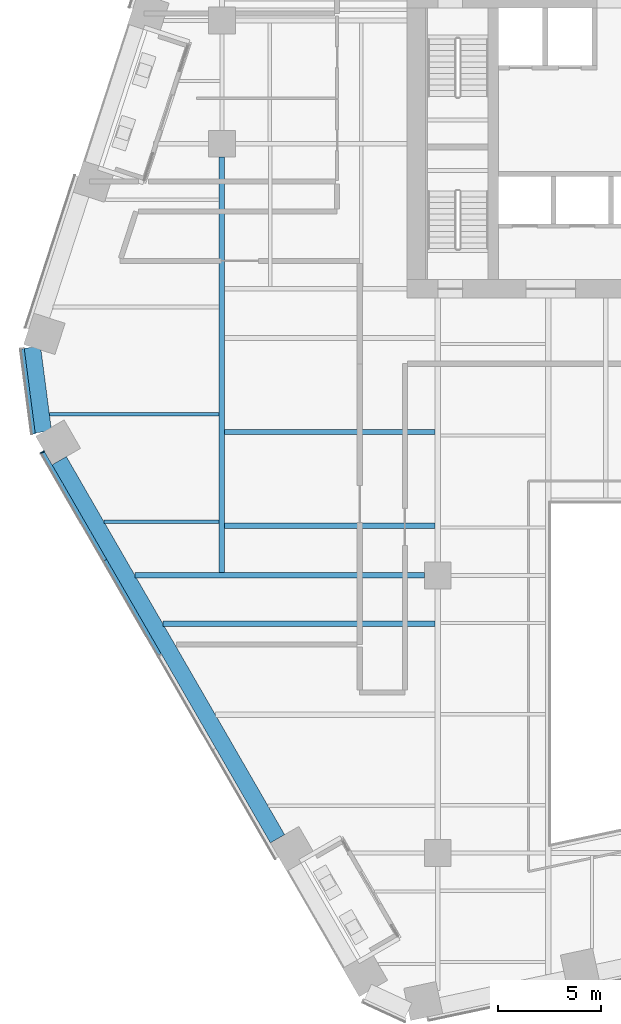
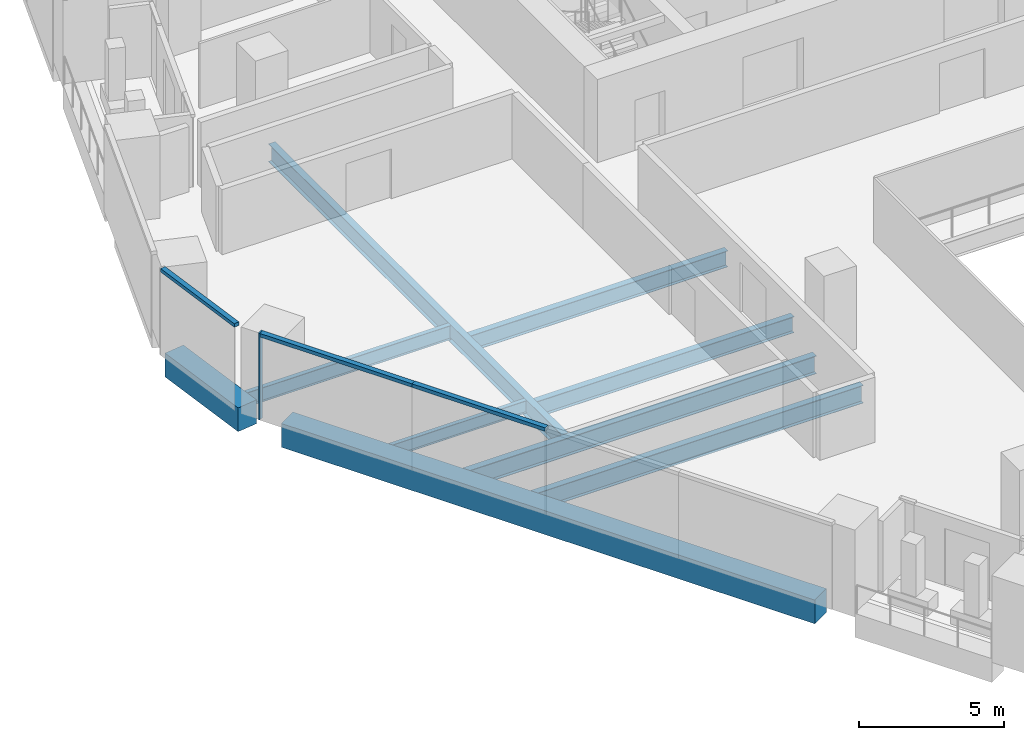
# One storey, part 4 of 28: 9 beams, 4 members, 2 elements without a shape of their own.
"""IFC4 building model written with IfcOpenShell, lengths in metres."""

from ifc_helpers import new_model, si_unit, direction, frame, origin, origin_2d, place, context, subcontext, project, spatial, rectangle, i_section, extrude, material, layer, layer_set, material_profile, profile_set, type_object, element, aggregate, save


model = new_model("IFC4")

# Units and contexts
model_context = context("Model", 3, precision=1e-05, world=origin(), true_north=direction((0.0, 1.0)))
body_context = subcontext(model_context, "Body", "Model", "MODEL_VIEW")
ifc_project = project(units=[si_unit("LENGTHUNIT", "METRE"), si_unit("AREAUNIT", "SQUARE_METRE"), si_unit("VOLUMEUNIT", "CUBIC_METRE"), si_unit("PLANEANGLEUNIT", "RADIAN"), si_unit("MASSUNIT", "GRAM", prefix="KILO")], contexts=[model_context])

# Site, building, storey
site_placement = place(None, origin())
site = spatial("IfcSite", under=ifc_project, at=site_placement, CompositionType="ELEMENT")
building_placement = place(site_placement, origin())
building = spatial("IfcBuilding", under=site, at=building_placement, Name="Isthmus Gate Tower", CompositionType="ELEMENT")
storey_placement = place(building_placement, frame((0.0, 0.0, 84.300048828125)))
storey = spatial("IfcBuildingStorey", under=building, at=storey_placement, Name="L19", CompositionType="ELEMENT", Elevation=84.300048828125)

# Curtain wall, member
ifc_material_1 = material(Name="Aluminium, pale champagne anodised", Category="aluminium")
ifc_layer = layer(ifc_material_1, 0.199951171875)
ifc_layer_set = layer_set([ifc_layer], Name="CW-1 UNITISED CURTAIN WALL 200 DEEP")
curtain_wall_type = type_object("IfcCurtainWallType", Name="CW-1 UNITISED CURTAIN WALL 200 DEEP", PredefinedType="NOTDEFINED", material=ifc_layer_set)
curtain_wall_1_placement = place(storey_placement, origin())
curtain_wall_1 = element("IfcCurtainWall", 1, at=curtain_wall_1_placement, inside=storey, type_object=curtain_wall_type, Name="CW-1 SW L19", PredefinedType="NOTDEFINED")
ifc_material_2 = material(Name="Aluminium, pale champagne anodised", Category="aluminium")
ifc_material_profile_1 = material_profile(ifc_material_2, rectangle(XDim=0.06005859375, YDim=0.199951171875, at=origin_2d()), Name="60x200")
ifc_profile_set_1 = profile_set([ifc_material_profile_1], Name="Aluminium, pale champagne anodised")
member_type_1 = type_object("IfcMemberType", Name="CW-1 MULLION 60 X 200", PredefinedType="MULLION", material=ifc_profile_set_1)
member_1_placement = place(storey_placement, frame((-32.7353515625, -7.500732421875, 0.0), z_axis=(0.0, 0.0, 1.0), x_axis=(0.5, -0.866025403784, 0.0)))
member_1 = element("IfcMember", 2, at=member_1_placement, type_object=member_type_1, Name="CW-1 mullion", PredefinedType="MULLION", context=body_context, shape_type="SweptSolid", body=[
    extrude(rectangle(XDim=0.06005859375, YDim=0.199951171875, at=origin_2d()), origin(), (0.0, 0.0, 1.0), 3.64990234375),
])

curtain_wall_2_placement = place(storey_placement, origin())
curtain_wall_2 = element("IfcCurtainWall", 3, at=curtain_wall_2_placement, inside=storey, type_object=curtain_wall_type, Name="CW-1 NW-SW L19", PredefinedType="NOTDEFINED")
ifc_material_3 = material(Name="Aluminium, pale champagne anodised", Category="aluminium")
ifc_material_profile_2 = material_profile(ifc_material_3, rectangle(XDim=0.199951171875, YDim=0.14990234375, at=origin_2d()), Name="200x150")
ifc_profile_set_2 = profile_set([ifc_material_profile_2], Name="Aluminium, pale champagne anodised")
member_type_2 = type_object("IfcMemberType", Name="CW-1 TRANSOM 200 X 150", PredefinedType="USERDEFINED", material=ifc_profile_set_2)
member_2_placement = place(storey_placement, frame((-33.71923828125, -2.474609375, 3.574951171875), z_axis=(0.129206893318, -0.991617657527, 0.0), x_axis=(0.991617657527, 0.129206893318, 0.0)))
member_2 = element("IfcMember", 4, at=member_2_placement, type_object=member_type_2, Name="CW-1 transom", ObjectType="TRANSOM", PredefinedType="USERDEFINED", context=body_context, shape_type="SweptSolid", body=[
    extrude(rectangle(XDim=0.199951171875, YDim=0.14990234375, at=origin_2d()), origin(), (0.0, 0.0, 1.0), 4.181640625),
])
aggregate(curtain_wall_2, [member_2])

# Member
member_3_placement = place(storey_placement, frame((-32.720458984375, -7.526611328125, 3.574951171875), z_axis=(0.500011280007, -0.866018891171, 0.0), x_axis=(0.866018891171, 0.500011280007, 0.0)))
member_3 = element("IfcMember", 5, at=member_3_placement, type_object=member_type_2, Name="CW-1 transom", ObjectType="TRANSOM", PredefinedType="USERDEFINED", context=body_context, shape_type="SweptSolid", body=[
    extrude(rectangle(XDim=0.199951171875, YDim=0.14990234375, at=origin_2d()), origin(), (0.0, 0.0, 1.0), 6.048583984375),
])

member_4_placement = place(storey_placement, frame((-29.696044921875, -12.764892578125, 3.574951171875), z_axis=(0.499997139945, -0.866027055032, 0.0), x_axis=(0.866027055032, 0.499997139945, 0.0)))
member_4 = element("IfcMember", 6, at=member_4_placement, type_object=member_type_2, Name="CW-1 transom", ObjectType="TRANSOM", PredefinedType="USERDEFINED", context=body_context, shape_type="SweptSolid", body=[
    extrude(rectangle(XDim=0.199951171875, YDim=0.14990234375, at=origin_2d()), origin(), (0.0, 0.0, 1.0), 5.30859375),
])

aggregate(curtain_wall_1, [member_1, member_3, member_4])

# Beams
ifc_material_4 = material(Name="Concrete f'c 70 MPa", Category="concrete")
ifc_material_profile_3 = material_profile(ifc_material_4, rectangle(XDim=0.800048828125, YDim=1.0, at=origin_2d()), Name="RC 800X1000")
ifc_profile_set_3 = profile_set([ifc_material_profile_3], Name="Concrete f'c 70 MPa")
beam_type_1 = type_object("IfcBeamType", Name="RC SPANDREL 800 X 1000", PredefinedType="SPANDREL", material=ifc_profile_set_3)
beam_1_placement = place(storey_placement, frame((-21.300048828125, -26.30712890625, -0.5), z_axis=(-0.499997139945, 0.866027055032, 0.0), x_axis=(-0.866027055032, -0.499997139945, 0.0)))
element("IfcBeam", 7, at=beam_1_placement, inside=storey, type_object=beam_type_1, Name="str-spandrel-L19-16", PredefinedType="SPANDREL", context=body_context, shape_type="SweptSolid", body=[
    extrude(rectangle(XDim=0.800048828125, YDim=1.0, at=origin_2d()), origin(), (0.0, 0.0, 1.0), 21.234375),
])
beam_2_placement = place(storey_placement, frame((-32.6884765625, -6.515380859375, -0.5), z_axis=(-0.129170777359, 0.991622362735, 0.0), x_axis=(-0.991622362735, -0.129170777359, 0.0)))
element("IfcBeam", 8, at=beam_2_placement, inside=storey, type_object=beam_type_1, Name="str-spandrel-L19-17", PredefinedType="SPANDREL", context=body_context, shape_type="SweptSolid", body=[
    extrude(rectangle(XDim=0.800048828125, YDim=1.0, at=origin_2d()), origin(), (0.0, 0.0, 1.0), 4.15234375),
])
ifc_material_5 = material(Name="Structural steel ASTM A992 Gr 50", Category="steel")
ifc_material_profile_4 = material_profile(ifc_material_5, i_section(OverallWidth=0.1650390625, OverallDepth=0.52392578125, WebThickness=0.009521484375, FlangeThickness=0.010986328125, at=origin_2d()), Name="W21X44")
ifc_profile_set_4 = profile_set([ifc_material_profile_4], Name="Structural steel ASTM A992 Gr 50")
beam_type_2 = type_object("IfcBeamType", Name="STEEL FLOOR BEAM W21X44", PredefinedType="JOIST", material=ifc_profile_set_4)
beam_3_placement = place(storey_placement, frame((-29.740478515625, -10.88818359375, -0.412109375), z_axis=(1.0, 0.0, 0.0), x_axis=(0.0, 1.0, 0.0)))
element("IfcBeam", 9, at=beam_3_placement, inside=storey, type_object=beam_type_2, Name="str-beam-L19-01-00", PredefinedType="JOIST", context=body_context, shape_type="SweptSolid", body=[
    extrude(i_section(OverallWidth=0.1650390625, OverallDepth=0.52392578125, WebThickness=0.009521484375, FlangeThickness=0.010986328125, at=origin_2d()), origin(), (0.0, 0.0, 1.0), 5.607177734375),
])
ifc_material_6 = material(Name="Structural steel ASTM A992 Gr 50", Category="steel")
ifc_material_profile_5 = material_profile(ifc_material_6, i_section(OverallWidth=0.177734375, OverallDepth=0.60009765625, WebThickness=0.009521484375, FlangeThickness=0.0126953125, at=origin_2d()), Name="W24X55")
ifc_profile_set_5 = profile_set([ifc_material_profile_5], Name="Structural steel ASTM A992 Gr 50")
beam_type_3 = type_object("IfcBeamType", Name="STEEL FLOOR BEAM W24X55", PredefinedType="JOIST", material=ifc_profile_set_5)
beam_4_placement = place(storey_placement, frame((-32.39599609375, -5.664306640625, -0.4501953125), z_axis=(1.0, 0.0, 0.0), x_axis=(0.0, 1.0, 0.0)))
element("IfcBeam", 10, at=beam_4_placement, inside=storey, type_object=beam_type_3, Name="str-beam-L19-01-01", PredefinedType="JOIST", context=body_context, shape_type="SweptSolid", body=[
    extrude(i_section(OverallWidth=0.177734375, OverallDepth=0.60009765625, WebThickness=0.009521484375, FlangeThickness=0.0126953125, at=origin_2d()), origin(), (0.0, 0.0, 1.0), 8.2626953125),
])
ifc_material_7 = material(Name="Structural steel ASTM A992 Gr 50", Category="steel")
ifc_material_profile_6 = material_profile(ifc_material_7, i_section(OverallWidth=0.25390625, OverallDepth=0.679443359375, WebThickness=0.010986328125, FlangeThickness=0.015869140625, at=origin_2d()), Name="W27X84")
ifc_profile_set_6 = profile_set([ifc_material_profile_6], Name="Structural steel ASTM A992 Gr 50")
beam_type_4 = type_object("IfcBeamType", Name="STEEL FLOOR BEAM W27X84", PredefinedType="JOIST", material=ifc_profile_set_6)
for number, where, z_axis, x_axis, name in (
    (11, (-23.86669921875, -11.0830078125, -0.48974609375), (1.0, 0.0, 0.0), (0.0, 1.0, 0.0), "str-beam-L19-09-00"),
    (12, (-23.86669921875, -6.515380859375, -0.48974609375), (1.0, 0.0, 0.0), (0.0, 1.0, 0.0), "str-beam-L19-09-01"),
):
    element("IfcBeam", number, at=place(storey_placement, frame(where, z_axis=z_axis, x_axis=x_axis)), inside=storey, type_object=beam_type_4, Name=name, PredefinedType="JOIST", context=body_context, shape_type="SweptSolid", body=[
        extrude(i_section(OverallWidth=0.25390625, OverallDepth=0.679443359375, WebThickness=0.010986328125, FlangeThickness=0.015869140625, at=origin_2d()), origin(), (0.0, 0.0, 1.0), 10.23486328125),
    ])
ifc_material_8 = material(Name="Structural steel ASTM A992 Gr 50", Category="steel")
ifc_material_profile_7 = material_profile(ifc_material_8, i_section(OverallWidth=0.263427734375, OverallDepth=0.749267578125, WebThickness=0.0126953125, FlangeThickness=0.015869140625, at=origin_2d()), Name="W30X90")
ifc_profile_set_7 = profile_set([ifc_material_profile_7], Name="Structural steel ASTM A992 Gr 50")
beam_type_5 = type_object("IfcBeamType", Name="STEEL FLOOR BEAM W30X90", PredefinedType="JOIST", material=ifc_profile_set_7)
beam_5_placement = place(storey_placement, frame((-26.877685546875, -15.846435546875, -0.524658203125), z_axis=(1.0, 0.0, 0.0), x_axis=(0.0, 1.0, 0.0)))
element("IfcBeam", 13, at=beam_5_placement, inside=storey, type_object=beam_type_5, Name="str-beam-L19-07-02", PredefinedType="JOIST", context=body_context, shape_type="SweptSolid", body=[
    extrude(i_section(OverallWidth=0.263427734375, OverallDepth=0.749267578125, WebThickness=0.0126953125, FlangeThickness=0.015869140625, at=origin_2d()), origin(), (0.0, 0.0, 1.0), 13.245849609375),
])
ifc_material_9 = material(Name="Structural steel ASTM A992 Gr 50", Category="steel")
ifc_material_profile_8 = material_profile(ifc_material_9, i_section(OverallWidth=0.2666015625, OverallDepth=0.7587890625, WebThickness=0.014404296875, FlangeThickness=0.01904296875, at=origin_2d()), Name="W30X108")
ifc_profile_set_8 = profile_set([ifc_material_profile_8], Name="Structural steel ASTM A992 Gr 50")
beam_type_6 = type_object("IfcBeamType", Name="STEEL GIRDER W30X108", PredefinedType="BEAM", material=ifc_profile_set_8)
beam_6_placement = place(storey_placement, frame((-28.232421875, -13.5, -0.529541015625), z_axis=(1.0, 0.0, 0.0), x_axis=(0.0, 1.0, 0.0)))
element("IfcBeam", 14, at=beam_6_placement, inside=storey, type_object=beam_type_6, Name="str-girder-L19-05", PredefinedType="BEAM", context=body_context, shape_type="SweptSolid", body=[
    extrude(i_section(OverallWidth=0.2666015625, OverallDepth=0.7587890625, WebThickness=0.014404296875, FlangeThickness=0.01904296875, at=origin_2d()), origin(), (0.0, 0.0, 1.0), 14.08251953125),
])
beam_7_placement = place(storey_placement, frame((-24.0, -13.36669921875, -0.529541015625), z_axis=(0.0, 1.0, 0.0), x_axis=(-1.0, 0.0, 0.0)))
element("IfcBeam", 15, at=beam_7_placement, inside=storey, type_object=beam_type_6, Name="str-girder-L19-21", PredefinedType="BEAM", context=body_context, shape_type="SweptSolid", body=[
    extrude(i_section(OverallWidth=0.2666015625, OverallDepth=0.7587890625, WebThickness=0.014404296875, FlangeThickness=0.01904296875, at=origin_2d()), origin(), (0.0, 0.0, 1.0), 20.216796875),
])

save(model, "model.ifc")
